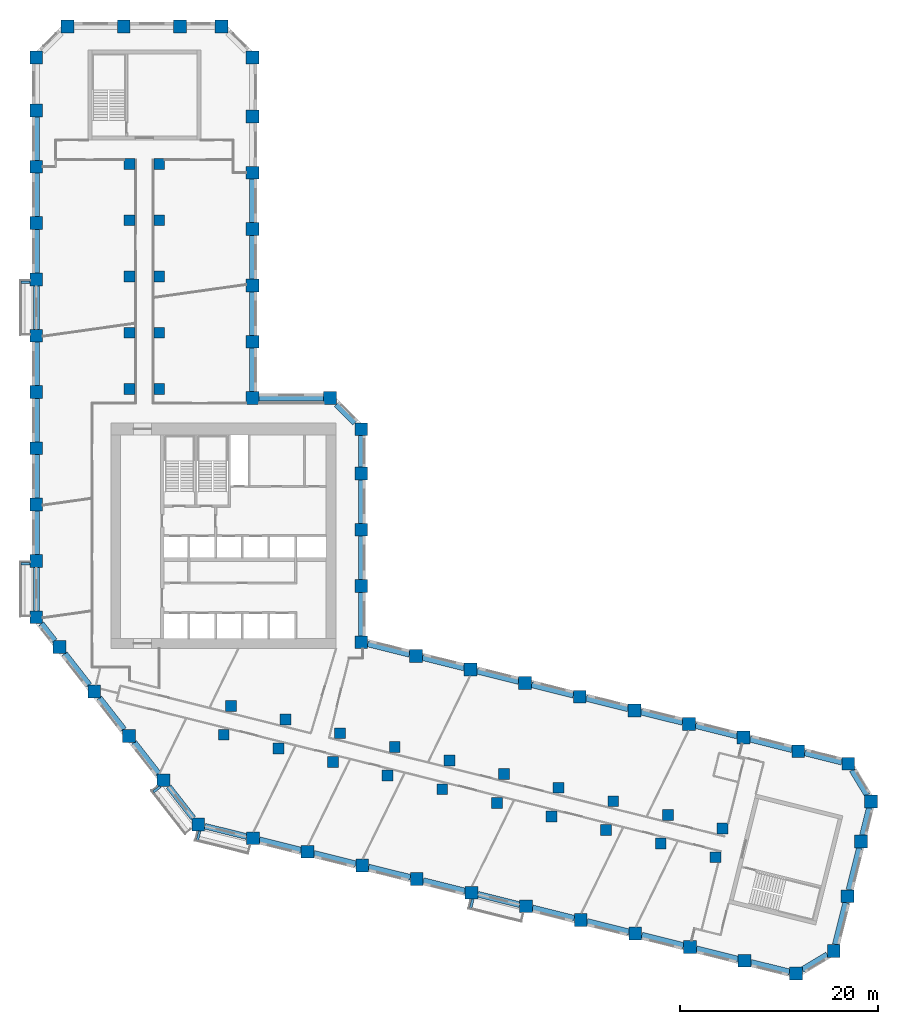
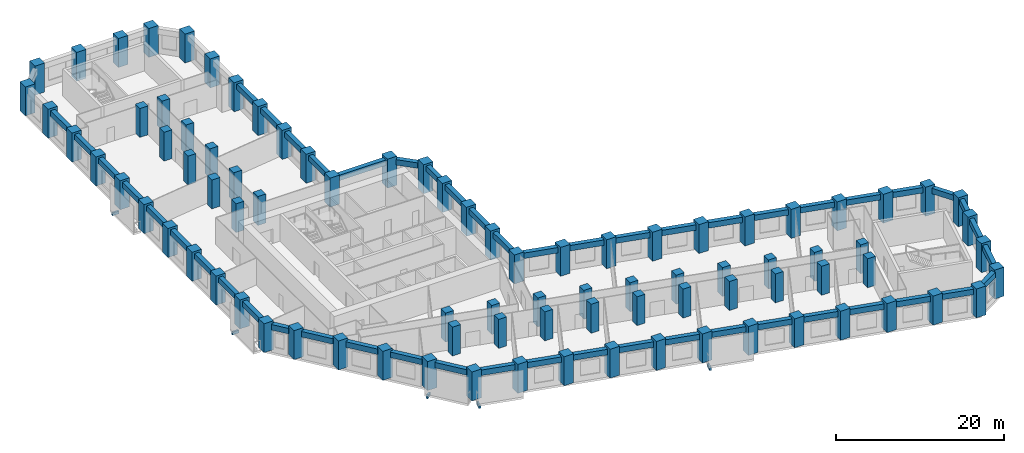
# One storey, part 1 of 11: 87 columns, 54 beams.
"""IFC4 building model written with IfcOpenShell, lengths in metres."""

from ifc_helpers import new_model, si_unit, direction, frame, origin, origin_2d, place, context, subcontext, project, spatial, rectangle, extrude, material, material_profile, profile_set, type_object, element, save


model = new_model("IFC4")

# Units and contexts
model_context = context("Model", 3, precision=1e-05, world=origin(), true_north=direction((0.0, 1.0)))
body_context = subcontext(model_context, "Body", "Model", "MODEL_VIEW")
ifc_project = project(units=[si_unit("LENGTHUNIT", "METRE"), si_unit("AREAUNIT", "SQUARE_METRE"), si_unit("VOLUMEUNIT", "CUBIC_METRE"), si_unit("PLANEANGLEUNIT", "RADIAN"), si_unit("MASSUNIT", "GRAM", prefix="KILO")], contexts=[model_context])

# Site, building, storey
site_placement = place(None, origin())
site = spatial("IfcSite", under=ifc_project, at=site_placement, CompositionType="ELEMENT")
building_placement = place(site_placement, origin())
building = spatial("IfcBuilding", under=site, at=building_placement, Name="Meshkara Civic Tower", CompositionType="ELEMENT")
storey_placement = place(building_placement, frame((0.0, 0.0, 105.60009765625)))
storey = spatial("IfcBuildingStorey", under=building, at=storey_placement, Name="L23", CompositionType="ELEMENT", Elevation=105.60009765625)

# Columns
ifc_material_1 = material(Name="Concrete C70", Category="concrete")
ifc_material_profile_1 = material_profile(ifc_material_1, rectangle(XDim=1.10009765625, YDim=1.10009765625, at=origin_2d()))
ifc_profile_set_1 = profile_set([ifc_material_profile_1], Name="Concrete C70")
column_type_1 = type_object("IfcColumnType", Name="Interior column RC 1100x1100 C70", PredefinedType="COLUMN", material=ifc_profile_set_1)
for number, where, z_axis, x_axis, name in (
    (1, (9.89990234375, 40.35009765625, 0.0), (0.0, 0.0, 1.0), (1.0, 0.0, 0.0), "Column SA1-04 L23"),
    (2, (9.89990234375, 46.050048828125, 0.0), (0.0, 0.0, 1.0), (1.0, 0.0, 0.0), "Column SA1-05 L23"),
    (3, (9.89990234375, 51.75, 0.0), (0.0, 0.0, 1.0), (1.0, 0.0, 0.0), "Column SA1-06 L23"),
    (4, (9.89990234375, 57.449951171875, 0.0), (0.0, 0.0, 1.0), (1.0, 0.0, 0.0), "Column SA1-07 L23"),
    (5, (9.89990234375, 63.14990234375, 0.0), (0.0, 0.0, 1.0), (1.0, 0.0, 0.0), "Column SA1-08 L23"),
    (6, (12.89990234375, 40.35009765625, 0.0), (0.0, 0.0, 1.0), (1.0, 0.0, 0.0), "Column SA2-04 L23"),
    (7, (12.89990234375, 46.050048828125, 0.0), (0.0, 0.0, 1.0), (1.0, 0.0, 0.0), "Column SA2-05 L23"),
    (8, (12.89990234375, 51.75, 0.0), (0.0, 0.0, 1.0), (1.0, 0.0, 0.0), "Column SA2-06 L23"),
    (9, (12.89990234375, 57.449951171875, 0.0), (0.0, 0.0, 1.0), (1.0, 0.0, 0.0), "Column SA2-07 L23"),
    (10, (12.89990234375, 63.14990234375, 0.0), (0.0, 0.0, 1.0), (1.0, 0.0, 0.0), "Column SA2-08 L23"),
    (11, (19.424072265625, 5.360107421875, 0.0), (0.0, 0.0, 1.0), (1.0, 0.0, 0.0), "Column SB1-00 L23"),
    (12, (24.9541015625, 3.98095703125, 0.0), (0.0, 0.0, 1.0), (1.0, 0.0, 0.0), "Column SB1-01 L23"),
    (13, (30.485107421875, 2.60205078125, 0.0), (0.0, 0.0, 1.0), (1.0, 0.0, 0.0), "Column SB1-02 L23"),
    (14, (36.01611328125, 1.222900390625, 0.0), (0.0, 0.0, 1.0), (1.0, 0.0, 0.0), "Column SB1-03 L23"),
    (15, (41.5458984375, -0.156005859375, 0.0), (0.0, 0.0, 1.0), (1.0, 0.0, 0.0), "Column SB1-04 L23"),
    (16, (47.076904296875, -1.534912109375, 0.0), (0.0, 0.0, 1.0), (1.0, 0.0, 0.0), "Column SB1-05 L23"),
    (17, (52.60791015625, -2.9140625, 0.0), (0.0, 0.0, 1.0), (1.0, 0.0, 0.0), "Column SB1-06 L23"),
    (18, (58.138916015625, -4.2919921875, 0.0), (0.0, 0.0, 1.0), (1.0, 0.0, 0.0), "Column SB1-07 L23"),
    (19, (63.6689453125, -5.6708984375, 0.0), (0.0, 0.0, 1.0), (1.0, 0.0, 0.0), "Column SB1-08 L23"),
    (20, (69.199951171875, -7.050048828125, 0.0), (0.0, 0.0, 1.0), (1.0, 0.0, 0.0), "Column SB1-09 L23"),
    (21, (20.14892578125, 8.27099609375, 0.0), (0.0, 0.0, 1.0), (1.0, 0.0, 0.0), "Column SB2-00 L23"),
    (22, (25.679931640625, 6.89208984375, 0.0), (0.0, 0.0, 1.0), (1.0, 0.0, 0.0), "Column SB2-01 L23"),
    (23, (31.2109375, 5.512939453125, 0.0), (0.0, 0.0, 1.0), (1.0, 0.0, 0.0), "Column SB2-02 L23"),
    (24, (36.741943359375, 4.134033203125, 0.0), (0.0, 0.0, 1.0), (1.0, 0.0, 0.0), "Column SB2-03 L23"),
    (25, (42.27197265625, 2.7548828125, 0.0), (0.0, 0.0, 1.0), (1.0, 0.0, 0.0), "Column SB2-04 L23"),
    (26, (47.802978515625, 1.3759765625, 0.0), (0.0, 0.0, 1.0), (1.0, 0.0, 0.0), "Column SB2-05 L23"),
    (27, (53.333984375, -0.0029296875, 0.0), (0.0, 0.0, 1.0), (1.0, 0.0, 0.0), "Column SB2-06 L23"),
    (28, (58.864013671875, -1.382080078125, 0.0), (0.0, 0.0, 1.0), (1.0, 0.0, 0.0), "Column SB2-07 L23"),
    (29, (64.39501953125, -2.760986328125, 0.0), (0.0, 0.0, 1.0), (1.0, 0.0, 0.0), "Column SB2-08 L23"),
    (30, (69.926025390625, -4.139892578125, 0.0), (0.0, 0.0, 1.0), (1.0, 0.0, 0.0), "Column SB2-09 L23"),
):
    element("IfcColumn", number, at=place(storey_placement, frame(where, z_axis=z_axis, x_axis=x_axis)), inside=storey, type_object=column_type_1, Name=name, PredefinedType="COLUMN", context=body_context, shape_type="SweptSolid", body=[
        extrude(rectangle(XDim=1.10009765625, YDim=1.10009765625, at=origin_2d()), origin(), (0.0, 0.0, 1.0), 4.199951171875),
    ])
ifc_material_2 = material(Name="Concrete C70", Category="concrete")
ifc_material_profile_2 = material_profile(ifc_material_2, rectangle(XDim=1.300048828125, YDim=1.300048828125, at=origin_2d()))
ifc_profile_set_2 = profile_set([ifc_material_profile_2], Name="Concrete C70")
column_type_2 = type_object("IfcColumnType", Name="Perimeter column RC 1300x1300 C70", PredefinedType="COLUMN", material=ifc_profile_set_2)
for number, where, z_axis, x_axis, name in (
    (31, (33.35009765625, 14.718994140625, 0.0), (0.0, 0.0, 1.0), (1.0, 0.0, 0.0), "Column HE00 L23"),
    (32, (33.35009765625, 20.4189453125, 0.0), (0.0, 0.0, 1.0), (1.0, 0.0, 0.0), "Column HE01 L23"),
    (33, (33.35009765625, 26.118896484375, 0.0), (0.0, 0.0, 1.0), (1.0, 0.0, 0.0), "Column HE02 L23"),
    (34, (33.35009765625, 31.819091796875, 0.0), (0.0, 0.0, 1.0), (1.0, 0.0, 0.0), "Column HE03 L23"),
    (35, (33.35009765625, 36.2939453125, 0.0), (0.0, 0.0, 1.0), (1.0, 0.0, 0.0), "Column HEE L23"),
    (36, (30.194091796875, 39.449951171875, 0.0), (0.0, 0.0, 1.0), (1.0, 0.0, 0.0), "Column HCeE L23"),
    (37, (22.35009765625, 39.449951171875, 0.0), (0.0, 0.0, 1.0), (1.0, 0.0, 0.0), "Column HN00 L23"),
    (38, (22.35009765625, 45.14990234375, 0.0), (0.0, 0.0, 1.0), (1.0, 0.0, 0.0), "Column AE01 L23"),
    (39, (22.35009765625, 50.85009765625, 0.0), (0.0, 0.0, 1.0), (1.0, 0.0, 0.0), "Column AE02 L23"),
    (40, (22.35009765625, 56.550048828125, 0.0), (0.0, 0.0, 1.0), (1.0, 0.0, 0.0), "Column AE03 L23"),
    (41, (22.35009765625, 62.25, 0.0), (0.0, 0.0, 1.0), (1.0, 0.0, 0.0), "Column AE04 L23"),
    (42, (22.35009765625, 67.949951171875, 0.0), (0.0, 0.0, 1.0), (1.0, 0.0, 0.0), "Column AE05 L23"),
    (43, (22.35009765625, 73.9140625, 0.0), (0.0, 0.0, 1.0), (1.0, 0.0, 0.0), "Column AEEP1 L23"),
    (44, (19.194091796875, 77.070068359375, 0.0), (0.0, 0.0, 1.0), (1.0, 0.0, 0.0), "Column ATiEP1 L23"),
    (45, (3.60595703125, 77.070068359375, 0.0), (0.0, 0.0, 1.0), (1.0, 0.0, 0.0), "Column AT00-P1 L23"),
    (46, (9.305908203125, 77.070068359375, 0.0), (0.0, 0.0, 1.0), (1.0, 0.0, 0.0), "Column AT01-P1 L23"),
    (47, (15.006103515625, 77.070068359375, 0.0), (0.0, 0.0, 1.0), (1.0, 0.0, 0.0), "Column AT02-P1 L23"),
    (48, (0.449951171875, 73.9140625, 0.0), (0.0, 0.0, 1.0), (1.0, 0.0, 0.0), "Column ATo00-P1 L23"),
    (49, (0.449951171875, 17.2548828125, 0.0), (0.0, 0.0, 1.0), (1.0, 0.0, 0.0), "Column AW00 L23"),
    (50, (0.449951171875, 22.955078125, 0.0), (0.0, 0.0, 1.0), (1.0, 0.0, 0.0), "Column AW01 L23"),
    (51, (0.449951171875, 28.655029296875, 0.0), (0.0, 0.0, 1.0), (1.0, 0.0, 0.0), "Column AW02 L23"),
    (52, (0.449951171875, 34.35498046875, 0.0), (0.0, 0.0, 1.0), (1.0, 0.0, 0.0), "Column AW03 L23"),
    (53, (0.449951171875, 40.054931640625, 0.0), (0.0, 0.0, 1.0), (1.0, 0.0, 0.0), "Column AW04 L23"),
    (54, (0.449951171875, 45.7548828125, 0.0), (0.0, 0.0, 1.0), (1.0, 0.0, 0.0), "Column AW05 L23"),
    (55, (0.449951171875, 51.455078125, 0.0), (0.0, 0.0, 1.0), (1.0, 0.0, 0.0), "Column AW06 L23"),
    (56, (0.449951171875, 57.155029296875, 0.0), (0.0, 0.0, 1.0), (1.0, 0.0, 0.0), "Column AW07 L23"),
    (57, (0.449951171875, 62.85498046875, 0.0), (0.0, 0.0, 1.0), (1.0, 0.0, 0.0), "Column AW08 L23"),
    (58, (0.449951171875, 68.554931640625, 0.0), (0.0, 0.0, 1.0), (1.0, 0.0, 0.0), "Column AW09 L23"),
    (59, (16.85107421875, -3.738037109375, 0.0), (0.0, 0.0, 1.0), (1.0, 0.0, 0.0), "Column BOW00 L23"),
    (60, (13.342041015625, 0.75390625, 0.0), (0.0, 0.0, 1.0), (1.0, 0.0, 0.0), "Column BOW01 L23"),
    (61, (9.8330078125, 5.2451171875, 0.0), (0.0, 0.0, 1.0), (1.0, 0.0, 0.0), "Column BOW02 L23"),
    (62, (6.322998046875, 9.737060546875, 0.0), (0.0, 0.0, 1.0), (1.0, 0.0, 0.0), "Column BOW03 L23"),
    (63, (2.81396484375, 14.22900390625, 0.0), (0.0, 0.0, 1.0), (1.0, 0.0, 0.0), "Column BOW04 L23"),
    (64, (22.382080078125, -5.116943359375, 0.0), (0.0, 0.0, 1.0), (1.0, 0.0, 0.0), "Column BS01 L23"),
    (65, (27.912109375, -6.49609375, 0.0), (0.0, 0.0, 1.0), (1.0, 0.0, 0.0), "Column BS02 L23"),
    (66, (33.443115234375, -7.875, 0.0), (0.0, 0.0, 1.0), (1.0, 0.0, 0.0), "Column BS03 L23"),
    (67, (38.97412109375, -9.2529296875, 0.0), (0.0, 0.0, 1.0), (1.0, 0.0, 0.0), "Column BS04-P1 L23"),
    (68, (44.5048828125, -10.632080078125, 0.0), (0.0, 0.0, 1.0), (1.0, 0.0, 0.0), "Column BS05 L23"),
    (69, (50.034912109375, -12.010986328125, 0.0), (0.0, 0.0, 1.0), (1.0, 0.0, 0.0), "Column BS06 L23"),
    (70, (55.56591796875, -13.389892578125, 0.0), (0.0, 0.0, 1.0), (1.0, 0.0, 0.0), "Column BS07 L23"),
    (71, (61.096923828125, -14.76904296875, 0.0), (0.0, 0.0, 1.0), (1.0, 0.0, 0.0), "Column BS08 L23"),
    (72, (66.626953125, -16.14794921875, 0.0), (0.0, 0.0, 1.0), (1.0, 0.0, 0.0), "Column BS09 L23"),
    (73, (72.157958984375, -17.527099609375, 0.0), (0.0, 0.0, 1.0), (1.0, 0.0, 0.0), "Column BS10 L23"),
    (74, (77.35791015625, -18.822998046875, 0.0), (0.0, 0.0, 1.0), (1.0, 0.0, 0.0), "Column BSEP1 L23"),
    (75, (81.18310546875, -16.52392578125, 0.0), (0.0, 0.0, 1.0), (1.0, 0.0, 0.0), "Column BToEP1 L23"),
    (76, (82.56201171875, -10.992919921875, 0.0), (0.0, 0.0, 1.0), (1.0, 0.0, 0.0), "Column BT01-P1 L23"),
    (77, (83.94091796875, -5.462890625, 0.0), (0.0, 0.0, 1.0), (1.0, 0.0, 0.0), "Column BT02-P1 L23"),
    (78, (84.9541015625, -1.39990234375, 0.0), (0.0, 0.0, 1.0), (1.0, 0.0, 0.0), "Column BTEP1 L23"),
    (79, (82.655029296875, 2.425048828125, 0.0), (0.0, 0.0, 1.0), (1.0, 0.0, 0.0), "Column BTi00-P1 L23"),
    (80, (38.881103515625, 13.340087890625, 0.0), (0.0, 0.0, 1.0), (1.0, 0.0, 0.0), "Column BN01 L23"),
    (81, (44.410888671875, 11.9609375, 0.0), (0.0, 0.0, 1.0), (1.0, 0.0, 0.0), "Column BN02 L23"),
    (82, (49.94189453125, 10.58203125, 0.0), (0.0, 0.0, 1.0), (1.0, 0.0, 0.0), "Column BN03 L23"),
    (83, (55.472900390625, 9.202880859375, 0.0), (0.0, 0.0, 1.0), (1.0, 0.0, 0.0), "Column BN04 L23"),
    (84, (61.0029296875, 7.823974609375, 0.0), (0.0, 0.0, 1.0), (1.0, 0.0, 0.0), "Column BN05 L23"),
    (85, (66.533935546875, 6.445068359375, 0.0), (0.0, 0.0, 1.0), (1.0, 0.0, 0.0), "Column BN06 L23"),
    (86, (72.06494140625, 5.06591796875, 0.0), (0.0, 0.0, 1.0), (1.0, 0.0, 0.0), "Column BN07 L23"),
    (87, (77.594970703125, 3.68701171875, 0.0), (0.0, 0.0, 1.0), (1.0, 0.0, 0.0), "Column BN08 L23"),
):
    element("IfcColumn", number, at=place(storey_placement, frame(where, z_axis=z_axis, x_axis=x_axis)), inside=storey, type_object=column_type_2, Name=name, PredefinedType="COLUMN", context=body_context, shape_type="SweptSolid", body=[
        extrude(rectangle(XDim=1.300048828125, YDim=1.300048828125, at=origin_2d()), origin(), (0.0, 0.0, 1.0), 4.199951171875),
    ])

# Beams
ifc_material_3 = material(Name="Concrete C50", Category="concrete")
ifc_material_profile_3 = material_profile(ifc_material_3, rectangle(XDim=0.25, YDim=0.39990234375, at=origin_2d()))
ifc_profile_set_3 = profile_set([ifc_material_profile_3], Name="Concrete C50")
beam_type_1 = type_object("IfcBeamType", Name="Balcony bracket beam RC 250x400 C50", PredefinedType="BEAM", material=ifc_profile_set_3)
for number, where, z_axis, x_axis, name in (
    (88, (-0.195068359375, 51.155029296875, -0.5), (-1.0, 0.0, 0.0), (0.0, -1.0, 0.0), "Balcony bracket beam"),
    (89, (-0.195068359375, 22.655029296875, -0.5), (-1.0, 0.0, 0.0), (0.0, -1.0, 0.0), "Balcony bracket beam"),
):
    element("IfcBeam", number, at=place(storey_placement, frame(where, z_axis=z_axis, x_axis=x_axis)), inside=storey, type_object=beam_type_1, Name=name, PredefinedType="BEAM", context=body_context, shape_type="SweptSolid", body=[
        extrude(rectangle(XDim=0.25, YDim=0.39990234375, at=origin_2d()), origin(), (0.0, 0.0, 1.0), 0.905029296875),
    ])
beam_1_placement = place(storey_placement, frame((13.0009765625, 0.10693359375, -0.5), z_axis=(-0.787936375825, -0.615756662693, 0.0), x_axis=(0.615756662693, -0.787936375825, 0.0)))
element("IfcBeam", 90, at=beam_1_placement, inside=storey, type_object=beam_type_1, Name="Balcony bracket beam", PredefinedType="BEAM", context=body_context, shape_type="SweptSolid", body=[
    extrude(rectangle(XDim=0.25, YDim=0.39990234375, at=origin_2d()), origin(), (0.0, 0.0, 1.0), 0.88330078125),
])
beam_2_placement = place(storey_placement, frame((16.9990234375, -4.383056640625, -0.5), z_axis=(-0.241757133902, -0.970336791123, 0.0), x_axis=(0.970336791123, -0.241757133902, 0.0)))
element("IfcBeam", 91, at=beam_2_placement, inside=storey, type_object=beam_type_1, Name="Balcony bracket beam", PredefinedType="BEAM", context=body_context, shape_type="SweptSolid", body=[
    extrude(rectangle(XDim=0.25, YDim=0.39990234375, at=origin_2d()), origin(), (0.0, 0.0, 1.0), 0.95947265625),
])
beam_3_placement = place(storey_placement, frame((44.653076171875, -11.277099609375, -0.5), z_axis=(-0.241757949961, -0.970336587804, 0.0), x_axis=(0.970336587804, -0.241757949961, 0.0)))
element("IfcBeam", 92, at=beam_3_placement, inside=storey, type_object=beam_type_1, Name="Balcony bracket beam", PredefinedType="BEAM", context=body_context, shape_type="SweptSolid", body=[
    extrude(rectangle(XDim=0.25, YDim=0.39990234375, at=origin_2d()), origin(), (0.0, 0.0, 1.0), 0.96044921875),
])
ifc_material_4 = material(Name="Concrete C70", Category="concrete")
ifc_material_profile_4 = material_profile(ifc_material_4, rectangle(XDim=0.60009765625, YDim=0.800048828125, at=origin_2d()))
ifc_profile_set_4 = profile_set([ifc_material_profile_4], Name="Concrete C70")
beam_type_2 = type_object("IfcBeamType", Name="Spandrel beam RC 600x800 C70", PredefinedType="BEAM", material=ifc_profile_set_4)
beam_4_placement = place(storey_placement, frame((76.949951171875, 3.847900390625, 3.5), z_axis=(-0.970293497888, 0.241930832999, 0.0), x_axis=(-0.241930832999, -0.970293497888, 0.0)))
element("IfcBeam", 93, at=beam_4_placement, inside=storey, type_object=beam_type_2, Name="Spandrel beam BN07-BN08", PredefinedType="BEAM", context=body_context, shape_type="SweptSolid", body=[
    extrude(rectangle(XDim=0.60009765625, YDim=0.800048828125, at=origin_2d()), origin(), (0.0, 0.0, 1.0), 4.36962890625),
])
for number, where, z_axis, x_axis, name in (
    (94, (71.419921875, 5.226806640625, 3.5), (-0.970293463154, 0.241930972304, 0.0), (-0.241930972304, -0.970293463154, 0.0), "Spandrel beam BN06-BN07"),
    (95, (65.888916015625, 6.605712890625, 3.5), (-0.970293463154, 0.241930972304, 0.0), (-0.241930972304, -0.970293463154, 0.0), "Spandrel beam BN05-BN06"),
):
    element("IfcBeam", number, at=place(storey_placement, frame(where, z_axis=z_axis, x_axis=x_axis)), inside=storey, type_object=beam_type_2, Name=name, PredefinedType="BEAM", context=body_context, shape_type="SweptSolid", body=[
        extrude(rectangle(XDim=0.60009765625, YDim=0.800048828125, at=origin_2d()), origin(), (0.0, 0.0, 1.0), 4.37060546875),
    ])
beam_5_placement = place(storey_placement, frame((60.35791015625, 7.98486328125, 3.5), z_axis=(-0.970293497888, 0.241930832999, 0.0), x_axis=(-0.241930832999, -0.970293497888, 0.0)))
element("IfcBeam", 96, at=beam_5_placement, inside=storey, type_object=beam_type_2, Name="Spandrel beam BN04-BN05", PredefinedType="BEAM", context=body_context, shape_type="SweptSolid", body=[
    extrude(rectangle(XDim=0.60009765625, YDim=0.800048828125, at=origin_2d()), origin(), (0.0, 0.0, 1.0), 4.36962890625),
])
for number, where, z_axis, x_axis, name in (
    (97, (54.827880859375, 9.36376953125, 3.5), (-0.970293463154, 0.241930972304, 0.0), (-0.241930972304, -0.970293463154, 0.0), "Spandrel beam BN03-BN04"),
    (98, (49.296875, 10.742919921875, 3.5), (-0.970293463154, 0.241930972304, 0.0), (-0.241930972304, -0.970293463154, 0.0), "Spandrel beam BN02-BN03"),
):
    element("IfcBeam", number, at=place(storey_placement, frame(where, z_axis=z_axis, x_axis=x_axis)), inside=storey, type_object=beam_type_2, Name=name, PredefinedType="BEAM", context=body_context, shape_type="SweptSolid", body=[
        extrude(rectangle(XDim=0.60009765625, YDim=0.800048828125, at=origin_2d()), origin(), (0.0, 0.0, 1.0), 4.37060546875),
    ])
beam_6_placement = place(storey_placement, frame((43.765869140625, 12.121826171875, 3.5), z_axis=(-0.970280380753, 0.241983434817, 0.0), x_axis=(-0.241983434817, -0.970280380753, 0.0)))
element("IfcBeam", 99, at=beam_6_placement, inside=storey, type_object=beam_type_2, Name="Spandrel beam BN01-BN02", PredefinedType="BEAM", context=body_context, shape_type="SweptSolid", body=[
    extrude(rectangle(XDim=0.60009765625, YDim=0.800048828125, at=origin_2d()), origin(), (0.0, 0.0, 1.0), 4.36962890625),
])
beam_7_placement = place(storey_placement, frame((38.23583984375, 13.500732421875, 3.5), z_axis=(-0.970293463154, 0.241930972304, 0.0), x_axis=(-0.241930972304, -0.970293463154, 0.0)))
element("IfcBeam", 100, at=beam_7_placement, inside=storey, type_object=beam_type_2, Name="Spandrel beam BN01-HE00", PredefinedType="BEAM", context=body_context, shape_type="SweptSolid", body=[
    extrude(rectangle(XDim=0.60009765625, YDim=0.800048828125, at=origin_2d()), origin(), (0.0, 0.0, 1.0), 4.37060546875),
])
beam_8_placement = place(storey_placement, frame((33.35009765625, 15.364013671875, 3.5), z_axis=(0.0, 1.0, 0.0), x_axis=(-1.0, 0.0, 0.0)))
element("IfcBeam", 101, at=beam_8_placement, inside=storey, type_object=beam_type_2, Name="Spandrel beam HE00-HE01", PredefinedType="BEAM", context=body_context, shape_type="SweptSolid", body=[
    extrude(rectangle(XDim=0.60009765625, YDim=0.800048828125, at=origin_2d()), origin(), (0.0, 0.0, 1.0), 4.409912109375),
])
for number, where, z_axis, x_axis, name in (
    (102, (33.35009765625, 21.06396484375, 3.5), (0.0, 1.0, 0.0), (-1.0, 0.0, 0.0), "Spandrel beam HE01-HE02"),
    (103, (33.35009765625, 26.763916015625, 3.5), (0.0, 1.0, 0.0), (-1.0, 0.0, 0.0), "Spandrel beam HE02-HE03"),
):
    element("IfcBeam", number, at=place(storey_placement, frame(where, z_axis=z_axis, x_axis=x_axis)), inside=storey, type_object=beam_type_2, Name=name, PredefinedType="BEAM", context=body_context, shape_type="SweptSolid", body=[
        extrude(rectangle(XDim=0.60009765625, YDim=0.800048828125, at=origin_2d()), origin(), (0.0, 0.0, 1.0), 4.41015625),
    ])
beam_9_placement = place(storey_placement, frame((33.35009765625, 32.464111328125, 3.5), z_axis=(0.0, 1.0, 0.0), x_axis=(-1.0, 0.0, 0.0)))
element("IfcBeam", 104, at=beam_9_placement, inside=storey, type_object=beam_type_2, Name="Spandrel beam HE03-HEE", PredefinedType="BEAM", context=body_context, shape_type="SweptSolid", body=[
    extrude(rectangle(XDim=0.60009765625, YDim=0.800048828125, at=origin_2d()), origin(), (0.0, 0.0, 1.0), 3.184814453125),
])
beam_10_placement = place(storey_placement, frame((32.70361328125, 36.9404296875, 3.5), z_axis=(-0.707106781187, 0.707106781187, 0.0), x_axis=(-0.707106781187, -0.707106781187, 0.0)))
element("IfcBeam", 105, at=beam_10_placement, inside=storey, type_object=beam_type_2, Name="Spandrel beam HCeE-HEE", PredefinedType="BEAM", context=body_context, shape_type="SweptSolid", body=[
    extrude(rectangle(XDim=0.60009765625, YDim=0.800048828125, at=origin_2d()), origin(), (0.0, 0.0, 1.0), 2.634765625),
])
beam_11_placement = place(storey_placement, frame((29.549072265625, 39.449951171875, 3.5), z_axis=(-1.0, 0.0, 0.0), x_axis=(0.0, -1.0, 0.0)))
element("IfcBeam", 106, at=beam_11_placement, inside=storey, type_object=beam_type_2, Name="Spandrel beam HCeE-HN00", PredefinedType="BEAM", context=body_context, shape_type="SweptSolid", body=[
    extrude(rectangle(XDim=0.60009765625, YDim=0.800048828125, at=origin_2d()), origin(), (0.0, 0.0, 1.0), 6.553955078125),
])
beam_12_placement = place(storey_placement, frame((22.35009765625, 40.094970703125, 3.5), z_axis=(0.0, 1.0, 0.0), x_axis=(-1.0, 0.0, 0.0)))
element("IfcBeam", 107, at=beam_12_placement, inside=storey, type_object=beam_type_2, Name="Spandrel beam AE01-HN00", PredefinedType="BEAM", context=body_context, shape_type="SweptSolid", body=[
    extrude(rectangle(XDim=0.60009765625, YDim=0.800048828125, at=origin_2d()), origin(), (0.0, 0.0, 1.0), 4.409912109375),
])
beam_13_placement = place(storey_placement, frame((22.35009765625, 45.794921875, 3.5), z_axis=(0.0, 1.0, 0.0), x_axis=(-1.0, 0.0, 0.0)))
element("IfcBeam", 108, at=beam_13_placement, inside=storey, type_object=beam_type_2, Name="Spandrel beam AE01-AE02", PredefinedType="BEAM", context=body_context, shape_type="SweptSolid", body=[
    extrude(rectangle(XDim=0.60009765625, YDim=0.800048828125, at=origin_2d()), origin(), (0.0, 0.0, 1.0), 4.41015625),
])
for number, where, z_axis, x_axis, name in (
    (109, (22.35009765625, 51.4951171875, 3.5), (0.0, 1.0, 0.0), (-1.0, 0.0, 0.0), "Spandrel beam AE02-AE03"),
    (110, (22.35009765625, 57.195068359375, 3.5), (0.0, 1.0, 0.0), (-1.0, 0.0, 0.0), "Spandrel beam AE03-AE04"),
    (111, (0.449951171875, 67.909912109375, 3.5), (0.0, -1.0, 0.0), (1.0, 0.0, 0.0), "Spandrel beam AW08-AW09"),
    (112, (0.449951171875, 62.2099609375, 3.5), (0.0, -1.0, 0.0), (1.0, 0.0, 0.0), "Spandrel beam AW07-AW08"),
    (113, (0.449951171875, 56.510009765625, 3.5), (0.0, -1.0, 0.0), (1.0, 0.0, 0.0), "Spandrel beam AW06-AW07"),
):
    element("IfcBeam", number, at=place(storey_placement, frame(where, z_axis=z_axis, x_axis=x_axis)), inside=storey, type_object=beam_type_2, Name=name, PredefinedType="BEAM", context=body_context, shape_type="SweptSolid", body=[
        extrude(rectangle(XDim=0.60009765625, YDim=0.800048828125, at=origin_2d()), origin(), (0.0, 0.0, 1.0), 4.409912109375),
    ])
for number, where, z_axis, x_axis, name in (
    (114, (0.449951171875, 50.81005859375, 3.5), (0.0, -1.0, 0.0), (1.0, 0.0, 0.0), "Spandrel beam AW05-AW06"),
    (115, (0.449951171875, 45.110107421875, 3.5), (0.0, -1.0, 0.0), (1.0, 0.0, 0.0), "Spandrel beam AW04-AW05"),
):
    element("IfcBeam", number, at=place(storey_placement, frame(where, z_axis=z_axis, x_axis=x_axis)), inside=storey, type_object=beam_type_2, Name=name, PredefinedType="BEAM", context=body_context, shape_type="SweptSolid", body=[
        extrude(rectangle(XDim=0.60009765625, YDim=0.800048828125, at=origin_2d()), origin(), (0.0, 0.0, 1.0), 4.41015625),
    ])
for number, where, z_axis, x_axis, name in (
    (116, (0.449951171875, 39.409912109375, 3.5), (0.0, -1.0, 0.0), (1.0, 0.0, 0.0), "Spandrel beam AW03-AW04"),
    (117, (0.449951171875, 33.7099609375, 3.5), (0.0, -1.0, 0.0), (1.0, 0.0, 0.0), "Spandrel beam AW02-AW03"),
    (118, (0.449951171875, 28.010009765625, 3.5), (0.0, -1.0, 0.0), (1.0, 0.0, 0.0), "Spandrel beam AW01-AW02"),
):
    element("IfcBeam", number, at=place(storey_placement, frame(where, z_axis=z_axis, x_axis=x_axis)), inside=storey, type_object=beam_type_2, Name=name, PredefinedType="BEAM", context=body_context, shape_type="SweptSolid", body=[
        extrude(rectangle(XDim=0.60009765625, YDim=0.800048828125, at=origin_2d()), origin(), (0.0, 0.0, 1.0), 4.409912109375),
    ])
beam_14_placement = place(storey_placement, frame((0.449951171875, 22.31005859375, 3.5), z_axis=(0.0, -1.0, 0.0), x_axis=(1.0, 0.0, 0.0)))
element("IfcBeam", 119, at=beam_14_placement, inside=storey, type_object=beam_type_2, Name="Spandrel beam AW00-AW01", PredefinedType="BEAM", context=body_context, shape_type="SweptSolid", body=[
    extrude(rectangle(XDim=0.60009765625, YDim=0.800048828125, at=origin_2d()), origin(), (0.0, 0.0, 1.0), 4.41015625),
])
beam_15_placement = place(storey_placement, frame((0.95458984375, 16.60888671875, 3.5), z_axis=(0.61568279769, -0.787994094286, 0.0), x_axis=(0.787994094286, 0.61568279769, 0.0)))
element("IfcBeam", 120, at=beam_15_placement, inside=storey, type_object=beam_type_2, Name="Spandrel beam AW00-BOW04", PredefinedType="BEAM", context=body_context, shape_type="SweptSolid", body=[
    extrude(rectangle(XDim=0.60009765625, YDim=0.800048828125, at=origin_2d()), origin(), (0.0, 0.0, 1.0), 2.200439453125),
])
beam_16_placement = place(storey_placement, frame((3.318603515625, 13.5830078125, 3.5), z_axis=(0.615612539127, -0.788048984309, 0.0), x_axis=(0.788048984309, 0.615612539127, 0.0)))
element("IfcBeam", 121, at=beam_16_placement, inside=storey, type_object=beam_type_2, Name="Spandrel beam BOW03-BOW04", PredefinedType="BEAM", context=body_context, shape_type="SweptSolid", body=[
    extrude(rectangle(XDim=0.60009765625, YDim=0.800048828125, at=origin_2d()), origin(), (0.0, 0.0, 1.0), 4.060546875),
])
beam_17_placement = place(storey_placement, frame((6.827880859375, 9.0908203125, 3.5), z_axis=(0.615716376188, -0.787967857272, 0.0), x_axis=(0.787967857272, 0.615716376188, 0.0)))
element("IfcBeam", 122, at=beam_17_placement, inside=storey, type_object=beam_type_2, Name="Spandrel beam BOW02-BOW03", PredefinedType="BEAM", context=body_context, shape_type="SweptSolid", body=[
    extrude(rectangle(XDim=0.60009765625, YDim=0.800048828125, at=origin_2d()), origin(), (0.0, 0.0, 1.0), 4.060791015625),
])
beam_18_placement = place(storey_placement, frame((10.337890625, 4.598876953125, 3.5), z_axis=(0.61568372316, -0.787993371188, 0.0), x_axis=(0.787993371188, 0.61568372316, 0.0)))
element("IfcBeam", 123, at=beam_18_placement, inside=storey, type_object=beam_type_2, Name="Spandrel beam BOW01-BOW02", PredefinedType="BEAM", context=body_context, shape_type="SweptSolid", body=[
    extrude(rectangle(XDim=0.60009765625, YDim=0.800048828125, at=origin_2d()), origin(), (0.0, 0.0, 1.0), 4.059326171875),
])
beam_19_placement = place(storey_placement, frame((13.8466796875, 0.10791015625, 3.5), z_axis=(0.615604368214, -0.78805536724, 0.0), x_axis=(0.78805536724, 0.615604368214, 0.0)))
element("IfcBeam", 124, at=beam_19_placement, inside=storey, type_object=beam_type_2, Name="Spandrel beam BOW00-BOW01", PredefinedType="BEAM", context=body_context, shape_type="SweptSolid", body=[
    extrude(rectangle(XDim=0.60009765625, YDim=0.800048828125, at=origin_2d()), origin(), (0.0, 0.0, 1.0), 4.060302734375),
])
beam_20_placement = place(storey_placement, frame((17.49609375, -3.898681640625, 3.5), z_axis=(0.970280349033, -0.241983562004, 0.0), x_axis=(0.241983562004, 0.970280349033, 0.0)))
element("IfcBeam", 125, at=beam_20_placement, inside=storey, type_object=beam_type_2, Name="Spandrel beam BOW00-BS01", PredefinedType="BEAM", context=body_context, shape_type="SweptSolid", body=[
    extrude(rectangle(XDim=0.60009765625, YDim=0.800048828125, at=origin_2d()), origin(), (0.0, 0.0, 1.0), 4.37060546875),
])
beam_21_placement = place(storey_placement, frame((23.027099609375, -5.27783203125, 3.5), z_axis=(0.970280380753, -0.241983434817, 0.0), x_axis=(0.241983434817, 0.970280380753, 0.0)))
element("IfcBeam", 126, at=beam_21_placement, inside=storey, type_object=beam_type_2, Name="Spandrel beam BS01-BS02", PredefinedType="BEAM", context=body_context, shape_type="SweptSolid", body=[
    extrude(rectangle(XDim=0.60009765625, YDim=0.800048828125, at=origin_2d()), origin(), (0.0, 0.0, 1.0), 4.36962890625),
])
beam_22_placement = place(storey_placement, frame((28.55712890625, -6.65673828125, 3.5), z_axis=(0.970293463154, -0.241930972304, 0.0), x_axis=(0.241930972304, 0.970293463154, 0.0)))
element("IfcBeam", 127, at=beam_22_placement, inside=storey, type_object=beam_type_2, Name="Spandrel beam BS02-BS03", PredefinedType="BEAM", context=body_context, shape_type="SweptSolid", body=[
    extrude(rectangle(XDim=0.60009765625, YDim=0.800048828125, at=origin_2d()), origin(), (0.0, 0.0, 1.0), 4.37060546875),
])
beam_23_placement = place(storey_placement, frame((34.088134765625, -8.03564453125, 3.5), z_axis=(0.97033279054, -0.241773190412, 0.0), x_axis=(0.241773190412, 0.97033279054, 0.0)))
element("IfcBeam", 128, at=beam_23_placement, inside=storey, type_object=beam_type_2, Name="Spandrel beam BS03-BS04-P1", PredefinedType="BEAM", context=body_context, shape_type="SweptSolid", body=[
    extrude(rectangle(XDim=0.60009765625, YDim=0.800048828125, at=origin_2d()), origin(), (0.0, 0.0, 1.0), 4.370361328125),
])
beam_24_placement = place(storey_placement, frame((39.619140625, -9.413818359375, 3.5), z_axis=(0.970293463154, -0.241930972304, 0.0), x_axis=(0.241930972304, 0.970293463154, 0.0)))
element("IfcBeam", 129, at=beam_24_placement, inside=storey, type_object=beam_type_2, Name="Spandrel beam BS04-P1-BS05", PredefinedType="BEAM", context=body_context, shape_type="SweptSolid", body=[
    extrude(rectangle(XDim=0.60009765625, YDim=0.800048828125, at=origin_2d()), origin(), (0.0, 0.0, 1.0), 4.37060546875),
])
beam_25_placement = place(storey_placement, frame((45.150146484375, -10.79296875, 3.5), z_axis=(0.970293497888, -0.241930832999, 0.0), x_axis=(0.241930832999, 0.970293497888, 0.0)))
element("IfcBeam", 130, at=beam_25_placement, inside=storey, type_object=beam_type_2, Name="Spandrel beam BS05-BS06", PredefinedType="BEAM", context=body_context, shape_type="SweptSolid", body=[
    extrude(rectangle(XDim=0.60009765625, YDim=0.800048828125, at=origin_2d()), origin(), (0.0, 0.0, 1.0), 4.36962890625),
])
for number, where, z_axis, x_axis, name in (
    (131, (50.68017578125, -12.171875, 3.5), (0.970293463154, -0.241930972304, 0.0), (0.241930972304, 0.970293463154, 0.0), "Spandrel beam BS06-BS07"),
    (132, (56.211181640625, -13.55078125, 3.5), (0.970293463154, -0.241930972304, 0.0), (0.241930972304, 0.970293463154, 0.0), "Spandrel beam BS07-BS08"),
):
    element("IfcBeam", number, at=place(storey_placement, frame(where, z_axis=z_axis, x_axis=x_axis)), inside=storey, type_object=beam_type_2, Name=name, PredefinedType="BEAM", context=body_context, shape_type="SweptSolid", body=[
        extrude(rectangle(XDim=0.60009765625, YDim=0.800048828125, at=origin_2d()), origin(), (0.0, 0.0, 1.0), 4.37060546875),
    ])
beam_26_placement = place(storey_placement, frame((61.7421875, -14.929931640625, 3.5), z_axis=(0.970293497888, -0.241930832999, 0.0), x_axis=(0.241930832999, 0.970293497888, 0.0)))
element("IfcBeam", 133, at=beam_26_placement, inside=storey, type_object=beam_type_2, Name="Spandrel beam BS08-BS09", PredefinedType="BEAM", context=body_context, shape_type="SweptSolid", body=[
    extrude(rectangle(XDim=0.60009765625, YDim=0.800048828125, at=origin_2d()), origin(), (0.0, 0.0, 1.0), 4.36962890625),
])
beam_27_placement = place(storey_placement, frame((67.272216796875, -16.308837890625, 3.5), z_axis=(0.970293463154, -0.241930972304, 0.0), x_axis=(0.241930972304, 0.970293463154, 0.0)))
element("IfcBeam", 134, at=beam_27_placement, inside=storey, type_object=beam_type_2, Name="Spandrel beam BS09-BS10", PredefinedType="BEAM", context=body_context, shape_type="SweptSolid", body=[
    extrude(rectangle(XDim=0.60009765625, YDim=0.800048828125, at=origin_2d()), origin(), (0.0, 0.0, 1.0), 4.37060546875),
])
beam_28_placement = place(storey_placement, frame((72.802978515625, -17.687744140625, 3.5), z_axis=(0.970323993045, -0.241808495551, 0.0), x_axis=(0.241808495551, 0.970323993045, 0.0)))
element("IfcBeam", 135, at=beam_28_placement, inside=storey, type_object=beam_type_2, Name="Spandrel beam BS10-BSEP1", PredefinedType="BEAM", context=body_context, shape_type="SweptSolid", body=[
    extrude(rectangle(XDim=0.60009765625, YDim=0.800048828125, at=origin_2d()), origin(), (0.0, 0.0, 1.0), 4.029541015625),
])
beam_29_placement = place(storey_placement, frame((78.003662109375, -18.434814453125, 3.5), z_axis=(0.857121046107, 0.515115047655, 0.0), x_axis=(-0.515115047655, 0.857121046107, 0.0)))
element("IfcBeam", 136, at=beam_29_placement, inside=storey, type_object=beam_type_2, Name="Spandrel beam BSEP1-BToEP1", PredefinedType="BEAM", context=body_context, shape_type="SweptSolid", body=[
    extrude(rectangle(XDim=0.60009765625, YDim=0.800048828125, at=origin_2d()), origin(), (0.0, 0.0, 1.0), 2.9560546875),
])
beam_30_placement = place(storey_placement, frame((81.34375, -15.87890625, 3.5), z_axis=(0.241930972304, 0.970293463154, 0.0), x_axis=(-0.970293463154, 0.241930972304, 0.0)))
element("IfcBeam", 137, at=beam_30_placement, inside=storey, type_object=beam_type_2, Name="Spandrel beam BT01-P1-BToEP1", PredefinedType="BEAM", context=body_context, shape_type="SweptSolid", body=[
    extrude(rectangle(XDim=0.60009765625, YDim=0.800048828125, at=origin_2d()), origin(), (0.0, 0.0, 1.0), 4.37060546875),
])
beam_31_placement = place(storey_placement, frame((82.722900390625, -10.347900390625, 3.5), z_axis=(0.241930832999, 0.970293497888, 0.0), x_axis=(-0.970293497888, 0.241930832999, 0.0)))
element("IfcBeam", 138, at=beam_31_placement, inside=storey, type_object=beam_type_2, Name="Spandrel beam BT01-P1-BT02-P1", PredefinedType="BEAM", context=body_context, shape_type="SweptSolid", body=[
    extrude(rectangle(XDim=0.60009765625, YDim=0.800048828125, at=origin_2d()), origin(), (0.0, 0.0, 1.0), 4.36962890625),
])
beam_32_placement = place(storey_placement, frame((84.101806640625, -4.81787109375, 3.5), z_axis=(0.241952611346, 0.970288067464, 0.0), x_axis=(-0.970288067464, 0.241952611346, 0.0)))
element("IfcBeam", 139, at=beam_32_placement, inside=storey, type_object=beam_type_2, Name="Spandrel beam BT02-P1-BTEP1", PredefinedType="BEAM", context=body_context, shape_type="SweptSolid", body=[
    extrude(rectangle(XDim=0.60009765625, YDim=0.800048828125, at=origin_2d()), origin(), (0.0, 0.0, 1.0), 2.857666015625),
])
beam_33_placement = place(storey_placement, frame((84.56591796875, -0.75439453125, 3.5), z_axis=(-0.515115047655, 0.857121046107, 0.0), x_axis=(-0.857121046107, -0.515115047655, 0.0)))
element("IfcBeam", 140, at=beam_33_placement, inside=storey, type_object=beam_type_2, Name="Spandrel beam BTEP1-BTi00-P1", PredefinedType="BEAM", context=body_context, shape_type="SweptSolid", body=[
    extrude(rectangle(XDim=0.60009765625, YDim=0.800048828125, at=origin_2d()), origin(), (0.0, 0.0, 1.0), 2.9560546875),
])
beam_34_placement = place(storey_placement, frame((82.010009765625, 2.5859375, 3.5), z_axis=(-0.970282789967, 0.241973774392, 0.0), x_axis=(-0.241973774392, -0.970282789967, 0.0)))
element("IfcBeam", 141, at=beam_34_placement, inside=storey, type_object=beam_type_2, Name="Spandrel beam BN08-BTi00-P1", PredefinedType="BEAM", context=body_context, shape_type="SweptSolid", body=[
    extrude(rectangle(XDim=0.60009765625, YDim=0.800048828125, at=origin_2d()), origin(), (0.0, 0.0, 1.0), 3.885498046875),
])

save(model, "model.ifc")
